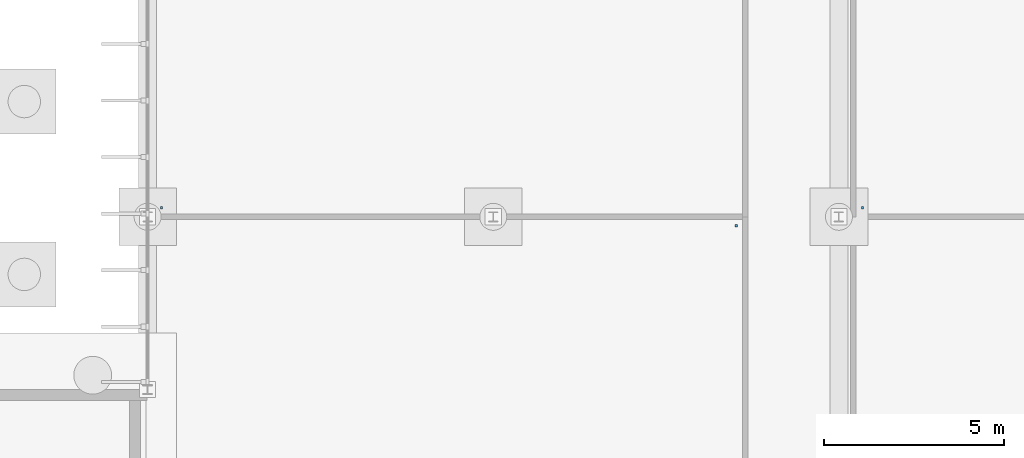
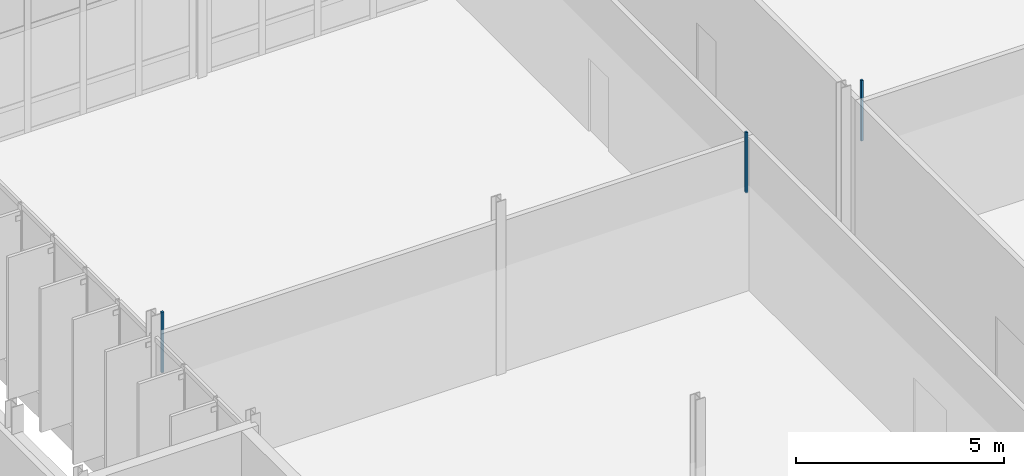
# One storey, part 91 of 111: 3 discrete accessories.
"""IFC4 building model written with IfcOpenShell, lengths in metres."""

from ifc_helpers import new_model, si_unit, direction, frame, origin, place, context, subcontext, project, spatial, polyline, outline, extrude, material, type_object, element, save


model = new_model("IFC4")

# Units and contexts
model_context = context("Model", 3, precision=1e-05, world=origin(), true_north=direction((0.0, 1.0)))
body_context = subcontext(model_context, "Body", "Model", "MODEL_VIEW")
ifc_project = project(units=[si_unit("LENGTHUNIT", "METRE"), si_unit("AREAUNIT", "SQUARE_METRE"), si_unit("VOLUMEUNIT", "CUBIC_METRE"), si_unit("PLANEANGLEUNIT", "RADIAN"), si_unit("MASSUNIT", "GRAM", prefix="KILO")], contexts=[model_context])

# Site, building, storey
site_placement = place(None, origin())
site = spatial("IfcSite", under=ifc_project, at=site_placement, CompositionType="ELEMENT")
building_placement = place(site_placement, origin())
building = spatial("IfcBuilding", under=site, at=building_placement, Name="Dunescarp Central Library", CompositionType="ELEMENT")
storey_placement = place(building_placement, origin())
storey = spatial("IfcBuildingStorey", under=building, at=storey_placement, Name="L00", CompositionType="ELEMENT", Elevation=0.0)

# Discrete accessories
ifc_material = material(Name="Stainless steel Grade 316L", Category="steel")
discrete_accessory_type = type_object("IfcDiscreteAccessoryType", Name="ARC-ACC-BRK", PredefinedType="BRACKET", material=ifc_material)
discrete_accessory_1_placement = place(storey_placement, frame((0.0, 0.0, 3.06005859375)))
element("IfcDiscreteAccessory", 1, at=discrete_accessory_1_placement, inside=storey, type_object=discrete_accessory_type, Name="L00 ceiling hanger CLG-L00-141-H2", PredefinedType="BRACKET", context=body_context, shape_type="SweptSolid", body=[
    extrude(outline(polyline([(145.919921875, 30.1201171875), (145.97998046875, 30.1201171875), (145.97998046875, 30.179931640625), (145.919921875, 30.179931640625), (145.919921875, 30.1201171875)])), origin(), (0.0, 0.0, 1.0), 1.780029296875),
])
discrete_accessory_2_placement = place(storey_placement, frame((0.0, 0.0, 3.06005859375)))
element("IfcDiscreteAccessory", 2, at=discrete_accessory_2_placement, inside=storey, type_object=discrete_accessory_type, Name="L00 ceiling hanger CLG-L00-142-H1", PredefinedType="BRACKET", context=body_context, shape_type="SweptSolid", body=[
    extrude(outline(polyline([(129.9599609375, 30.6201171875), (130.02001953125, 30.6201171875), (130.02001953125, 30.679931640625), (129.9599609375, 30.679931640625), (129.9599609375, 30.6201171875)])), origin(), (0.0, 0.0, 1.0), 1.780029296875),
])
discrete_accessory_3_placement = place(storey_placement, frame((0.0, 0.0, 3.06005859375)))
element("IfcDiscreteAccessory", 3, at=discrete_accessory_3_placement, inside=storey, type_object=discrete_accessory_type, Name="L00 ceiling hanger CLG-L00-144-H1", PredefinedType="BRACKET", context=body_context, shape_type="SweptSolid", body=[
    extrude(outline(polyline([(149.419921875, 30.6201171875), (149.47998046875, 30.6201171875), (149.47998046875, 30.679931640625), (149.419921875, 30.679931640625), (149.419921875, 30.6201171875)])), origin(), (0.0, 0.0, 1.0), 1.780029296875),
])

save(model, "model.ifc")
